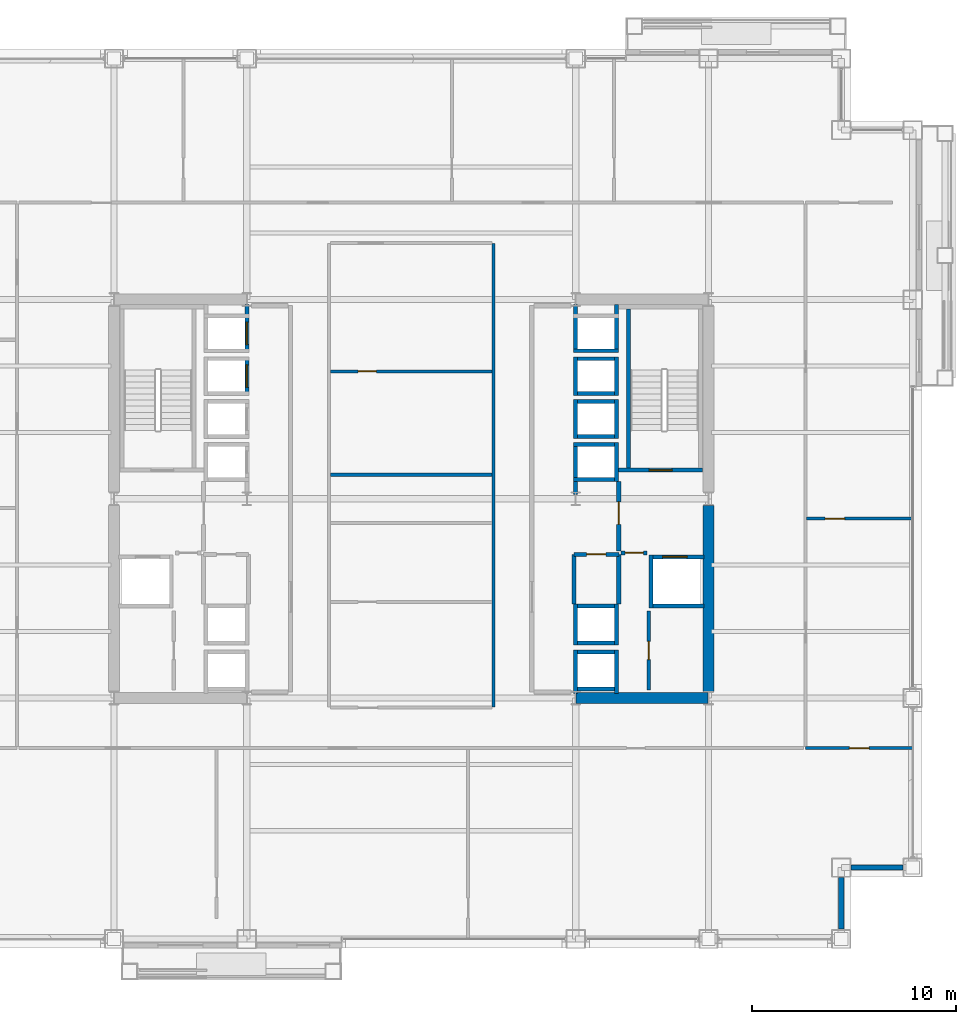
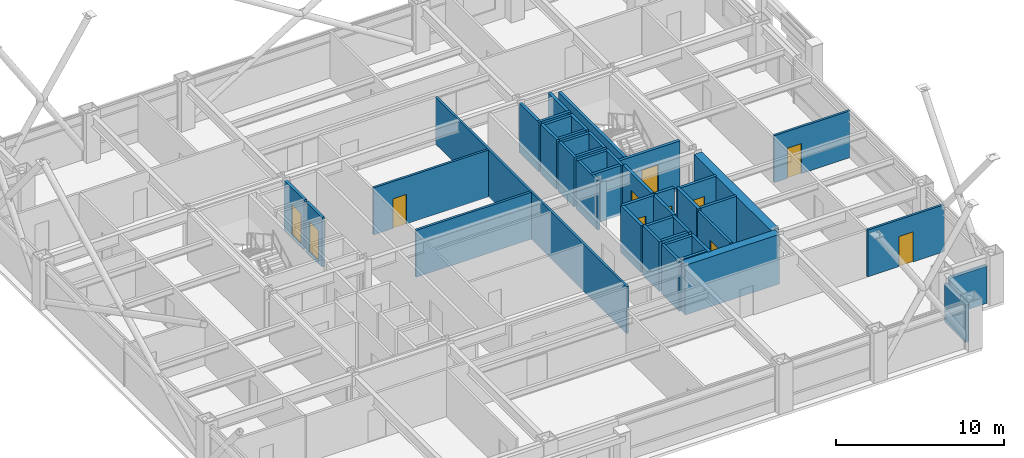
# One storey, part 29 of 34: 45 walls, 11 doors, 11 openings.
"""IFC4 building model written with IfcOpenShell, lengths in metres."""

from ifc_helpers import new_model, si_unit, direction, frame, frame_2d, origin, place, context, subcontext, project, spatial, rectangle, extrude, material, layer, layer_set, type_object, element, fill, save


model = new_model("IFC4")

# Units and contexts
model_context = context("Model", 3, precision=1e-05, world=origin(), true_north=direction((0.0, 1.0)))
body_context = subcontext(model_context, "Body", "Model", "MODEL_VIEW")
ifc_project = project(units=[si_unit("LENGTHUNIT", "METRE"), si_unit("AREAUNIT", "SQUARE_METRE"), si_unit("VOLUMEUNIT", "CUBIC_METRE"), si_unit("PLANEANGLEUNIT", "RADIAN"), si_unit("MASSUNIT", "GRAM", prefix="KILO")], contexts=[model_context])

# Site, building, storey
site_placement = place(None, origin())
site = spatial("IfcSite", under=ifc_project, at=site_placement, CompositionType="ELEMENT")
building_placement = place(site_placement, origin())
building = spatial("IfcBuilding", under=site, at=building_placement, Name="Brelmoor Portico Tower", CompositionType="ELEMENT")
storey_placement = place(building_placement, frame((0.0, 0.0, 45.60009765625)))
storey = spatial("IfcBuildingStorey", under=building, at=storey_placement, Name="L11", CompositionType="ELEMENT", Elevation=45.60009765625)

# Walls
ifc_material_1 = material(Name="Concrete C60", Category="concrete")
ifc_layer_1 = layer(ifc_material_1, 0.550048828125)
ifc_layer_set_1 = layer_set([ifc_layer_1], Name="Concrete C60")
wall_type_1 = type_object("IfcWallType", Name="WL-CORE-550", PredefinedType="SHEAR", material=ifc_layer_set_1)
wall_1_placement = place(storey_placement, frame((8.070068359375, -9.75, -0.2001953125), z_axis=(0.0, 0.0, 1.0), x_axis=(1.0, 0.0, 0.0)))
element("IfcWall", 1, at=wall_1_placement, inside=storey, type_object=wall_type_1, Name="L11 EC South Shear Wall", PredefinedType="SHEAR", context=body_context, shape_type="SweptSolid", body=[
    extrude(rectangle(XDim=6.4599609375, YDim=0.550048828125, at=frame_2d((3.22998046875, 0.0))), origin(), (0.0, 0.0, 1.0), 3.60009765625),
])
wall_2_placement = place(storey_placement, frame((14.550048828125, -9.425048828125, -0.2001953125), z_axis=(0.0, 0.0, 1.0), x_axis=(0.0, 1.0, 0.0)))
element("IfcWall", 2, at=wall_2_placement, inside=storey, type_object=wall_type_1, Name="L11 EC Outer South Shear Wall", PredefinedType="SHEAR", context=body_context, shape_type="SweptSolid", body=[
    extrude(rectangle(XDim=9.10009765625, YDim=0.550048828125, at=frame_2d((4.550048828125, 0.0))), origin(), (0.0, 0.0, 1.0), 3.60009765625),
])
ifc_material_2 = material(Name="Precast Concrete C40 Insulated Facade Wall", Category="concrete")
ifc_layer_2 = layer(ifc_material_2, 0.25)
ifc_layer_set_2 = layer_set([ifc_layer_2], Name="Precast Concrete C40 Insulated Facade Wall")
wall_type_2 = type_object("IfcWallType", Name="WL-EXT-250", PredefinedType="STANDARD", material=ifc_layer_set_2)
for number, where, z_axis, x_axis, name in (
    (3, (21.534912109375, -18.050048828125, 0.0), (0.0, 0.0, 1.0), (1.0, 0.0, 0.0), "L11 Corner Notch Facade Wall NSEH1"),
    (4, (21.050048828125, -21.06494140625, 0.0), (0.0, 0.0, 1.0), (0.0, 1.0, 0.0), "L11 Corner Notch Facade Wall NSEV1"),
):
    element("IfcWall", number, at=place(storey_placement, frame(where, z_axis=z_axis, x_axis=x_axis)), inside=storey, type_object=wall_type_2, Name=name, PredefinedType="STANDARD", context=body_context, shape_type="SweptSolid", body=[
        extrude(rectangle(XDim=2.530029296875, YDim=0.25, at=frame_2d((1.26513671875, 0.0))), origin(), (0.0, 0.0, 1.0), 2.699951171875),
    ])
ifc_material_3 = material(Name="Wet-Area Moisture-Resistant Partition", Category="gypsum")
ifc_layer_3 = layer(ifc_material_3, 0.14990234375)
ifc_layer_set_3 = layer_set([ifc_layer_3], Name="Wet-Area Moisture-Resistant Partition")
wall_type_3 = type_object("IfcWallType", Name="WL-PART-150", PredefinedType="PARTITIONING", material=ifc_layer_set_3)
wall_3_placement = place(storey_placement, frame((4.02001953125, -10.199951171875, 0.0), z_axis=(0.0, 0.0, 1.0), x_axis=(0.0, 1.0, 0.0)))
element("IfcWall", 5, at=wall_3_placement, inside=storey, type_object=wall_type_3, Name="L11 Central Suite East Wall", PredefinedType="PARTITIONING", context=body_context, shape_type="SweptSolid", body=[
    extrude(rectangle(XDim=22.699951171875, YDim=0.14990234375, at=frame_2d((11.35009765625, 0.0))), origin(), (0.0, 0.0, 1.0), 3.39990234375),
])

# Wall, opening, door
wall_4_placement = place(storey_placement, frame((-3.949951171875, 6.239990234375, 0.0), z_axis=(0.0, 0.0, 1.0), x_axis=(1.0, 0.0, 0.0)))
wall_4 = element("IfcWall", 6, at=wall_4_placement, inside=storey, type_object=wall_type_3, Name="L11 Central Archive Divider", PredefinedType="PARTITIONING", context=body_context, shape_type="SweptSolid", body=[
    extrude(rectangle(XDim=7.89990234375, YDim=0.14990234375, at=frame_2d((3.949951171875, 0.0))), origin(), (0.0, 0.0, 1.0), 3.39990234375),
])
opening_1_placement = place(wall_4_placement, frame((1.35009765625, 0.0, 0.0)))
opening_1 = element("IfcOpeningElement", 7, at=opening_1_placement, cuts=wall_4, Name="Opening D-IN1", PredefinedType="OPENING", context=body_context, shape_type="SweptSolid", body=[
    extrude(rectangle(XDim=0.89990234375, YDim=2.14990234375, at=frame_2d((0.449951171875, 1.074951171875))), frame((0.0, 0.0849609375, 0.0), z_axis=(0.0, -1.0, 0.0), x_axis=(1.0, 0.0, 0.0)), (0.0, 0.0, 1.0), 0.169921875),
])
ifc_material_4 = material(Name="Lacquered Timber Suite Door", Category="wood")
door_type_1 = type_object("IfcDoorType", Name="DR-INT-900", OperationType="NOTDEFINED", PredefinedType="DOOR", material=ifc_material_4)
door_1_placement = place(opening_1_placement, origin())
door_1 = element("IfcDoor", 8, at=door_1_placement, inside=storey, type_object=door_type_1, Name="D-0479 L11 Central File Room Door", OperationType="SINGLE_SWING_RIGHT", OverallHeight=2.14990234375, OverallWidth=0.89990234375, PredefinedType="DOOR", context=body_context, shape_type="SweptSolid", body=[
    extrude(rectangle(XDim=0.89990234375, YDim=2.14990234375, at=frame_2d((0.449951171875, 1.074951171875))), frame((0.0, 0.02490234375, 0.0), z_axis=(0.0, -1.0, 0.0), x_axis=(1.0, 0.0, 0.0)), (0.0, 0.0, 1.0), 0.050048828125),
])
fill(opening_1, door_1)

wall_5_placement = place(storey_placement, frame((19.300048828125, -12.199951171875, 0.0), z_axis=(0.0, 0.0, 1.0), x_axis=(1.0, 0.0, 0.0)))
wall_5 = element("IfcWall", 9, at=wall_5_placement, inside=storey, type_object=wall_type_3, Name="L11 South Outer Closure ER", PredefinedType="PARTITIONING", context=body_context, shape_type="SweptSolid", body=[
    extrude(rectangle(XDim=5.260009765625, YDim=0.14990234375, at=frame_2d((2.6298828125, 0.0))), origin(), (0.0, 0.0, 1.0), 3.39990234375),
])
opening_2_placement = place(wall_5_placement, frame((2.14990234375, 0.0, 0.0)))
opening_2 = element("IfcOpeningElement", 10, at=opening_2_placement, cuts=wall_5, Name="Opening D-IN2", PredefinedType="OPENING", context=body_context, shape_type="SweptSolid", body=[
    extrude(rectangle(XDim=0.9599609375, YDim=2.179931640625, at=frame_2d((0.47998046875, 1.08984375))), frame((0.0, 0.0849609375, 0.0), z_axis=(0.0, -1.0, 0.0), x_axis=(1.0, 0.0, 0.0)), (0.0, 0.0, 1.0), 0.169921875),
])
door_type_2 = type_object("IfcDoorType", Name="DR-INT-950", OperationType="NOTDEFINED", PredefinedType="DOOR", material=ifc_material_4)
door_2_placement = place(opening_2_placement, origin())
door_2 = element("IfcDoor", 11, at=door_2_placement, inside=storey, type_object=door_type_2, Name="D-0508 L11 ER South Corner Suite Door", OperationType="SINGLE_SWING_RIGHT", OverallHeight=2.179931640625, OverallWidth=0.9599609375, PredefinedType="DOOR", context=body_context, shape_type="SweptSolid", body=[
    extrude(rectangle(XDim=0.9599609375, YDim=2.179931640625, at=frame_2d((0.47998046875, 1.08984375))), frame((0.0, 0.02490234375, 0.0), z_axis=(0.0, -1.0, 0.0), x_axis=(1.0, 0.0, 0.0)), (0.0, 0.0, 1.0), 0.050048828125),
])
fill(opening_2, door_2)

wall_6_placement = place(storey_placement, frame((19.360107421875, -0.97314453125, 0.0), z_axis=(0.0, 0.0, 1.0), x_axis=(1.0, 0.0, 0.0)))
wall_6 = element("IfcWall", 12, at=wall_6_placement, inside=storey, type_object=wall_type_3, Name="L11 E Wing Partition 1", PredefinedType="PARTITIONING", context=body_context, shape_type="SweptSolid", body=[
    extrude(rectangle(XDim=5.199951171875, YDim=0.14990234375, at=frame_2d((2.60009765625, 0.0))), origin(), (0.0, 0.0, 1.0), 3.39990234375),
])
opening_3_placement = place(wall_6_placement, frame((0.89990234375, 0.0, 0.0)))
opening_3 = element("IfcOpeningElement", 13, at=opening_3_placement, cuts=wall_6, Name="Opening D-IN2", PredefinedType="OPENING", context=body_context, shape_type="SweptSolid", body=[
    extrude(rectangle(XDim=0.9599609375, YDim=2.179931640625, at=frame_2d((0.47998046875, 1.08984375))), frame((0.0, 0.0849609375, 0.0), z_axis=(0.0, -1.0, 0.0), x_axis=(1.0, 0.0, 0.0)), (0.0, 0.0, 1.0), 0.169921875),
])
door_3_placement = place(opening_3_placement, origin())
door_3 = element("IfcDoor", 14, at=door_3_placement, inside=storey, type_object=door_type_2, Name="D-0515 L11 E Wing Suite Connecting Door 1", OperationType="SINGLE_SWING_RIGHT", OverallHeight=2.179931640625, OverallWidth=0.9599609375, PredefinedType="DOOR", context=body_context, shape_type="SweptSolid", body=[
    extrude(rectangle(XDim=0.9599609375, YDim=2.179931640625, at=frame_2d((0.47998046875, 1.08984375))), frame((0.0, 0.02490234375, 0.0), z_axis=(0.0, -1.0, 0.0), x_axis=(1.0, 0.0, 0.0)), (0.0, 0.0, 1.0), 0.050048828125),
])
fill(opening_3, door_3)

ifc_material_5 = material(Name="Twin-Frame Acoustic Partition", Category="gypsum")
ifc_layer_4 = layer(ifc_material_5, 0.159912109375)
ifc_layer_set_4 = layer_set([ifc_layer_4], Name="Twin-Frame Acoustic Partition")
wall_type_4 = type_object("IfcWallType", Name="WL-PART-160", PredefinedType="PARTITIONING", material=ifc_layer_set_4)
wall_7_placement = place(storey_placement, frame((11.6201171875, -9.35009765625, 0.0), z_axis=(0.0, 0.0, 1.0), x_axis=(0.0, 1.0, 0.0)))
wall_7 = element("IfcWall", 15, at=wall_7_placement, inside=storey, type_object=wall_type_4, Name="L11 E Core Service Front Wall", PredefinedType="PARTITIONING", context=body_context, shape_type="SweptSolid", body=[
    extrude(rectangle(XDim=3.85009765625, YDim=0.159912109375, at=frame_2d((1.925048828125, 0.0))), origin(), (0.0, 0.0, 1.0), 3.39990234375),
])
opening_4_placement = place(wall_7_placement, frame((1.47509765625, 0.0, 0.0)))
opening_4 = element("IfcOpeningElement", 16, at=opening_4_placement, cuts=wall_7, Name="Opening D-IN1", PredefinedType="OPENING", context=body_context, shape_type="SweptSolid", body=[
    extrude(rectangle(XDim=0.89990234375, YDim=2.14990234375, at=frame_2d((0.449951171875, 1.074951171875))), frame((0.0, 0.08984375, 0.0), z_axis=(0.0, -1.0, 0.0), x_axis=(1.0, 0.0, 0.0)), (0.0, 0.0, 1.0), 0.179931640625),
])
door_4_placement = place(opening_4_placement, origin())
door_4 = element("IfcDoor", 17, at=door_4_placement, inside=storey, type_object=door_type_1, Name="D-0482 L11 E Male WC Door", OperationType="SINGLE_SWING_LEFT", OverallHeight=2.14990234375, OverallWidth=0.89990234375, PredefinedType="DOOR", context=body_context, shape_type="SweptSolid", body=[
    extrude(rectangle(XDim=0.89990234375, YDim=2.14990234375, at=frame_2d((0.449951171875, 1.074951171875))), frame((0.0, 0.02490234375, 0.0), z_axis=(0.0, -1.0, 0.0), x_axis=(1.0, 0.0, 0.0)), (0.0, 0.0, 1.0), 0.050048828125),
])
fill(opening_4, door_4)

# Wall
wall_8_placement = place(storey_placement, frame((-3.949951171875, 1.179931640625, 0.0), z_axis=(0.0, 0.0, 1.0), x_axis=(1.0, 0.0, 0.0)))
element("IfcWall", 18, at=wall_8_placement, inside=storey, type_object=wall_type_4, Name="L11 Central Meeting South Wall", PredefinedType="PARTITIONING", context=body_context, shape_type="SweptSolid", body=[
    extrude(rectangle(XDim=7.89990234375, YDim=0.159912109375, at=frame_2d((3.949951171875, 0.0))), origin(), (0.0, 0.0, 1.0), 3.39990234375),
])

# Wall, opening, door
ifc_material_6 = material(Name="Double-Stud Gypsum Fire Partition", Category="gypsum")
ifc_layer_5 = layer(ifc_material_6, 0.199951171875)
ifc_layer_set_5 = layer_set([ifc_layer_5], Name="Double-Stud Gypsum Fire Partition")
wall_type_5 = type_object("IfcWallType", Name="WL-PART-200", PredefinedType="PARTITIONING", material=ifc_layer_set_5)
wall_9_placement = place(storey_placement, frame((10.159912109375, -2.550048828125, 0.0), z_axis=(0.0, 0.0, 1.0), x_axis=(0.0, 1.0, 0.0)))
wall_9 = element("IfcWall", 19, at=wall_9_placement, inside=storey, type_object=wall_type_5, Name="L11 E Firefighting Lobby Wall", PredefinedType="PARTITIONING", context=body_context, shape_type="SweptSolid", body=[
    extrude(rectangle(XDim=3.400146484375, YDim=0.199951171875, at=frame_2d((1.7001953125, 0.0))), origin(), (0.0, 0.0, 1.0), 3.39990234375),
])
opening_5_placement = place(wall_9_placement, frame((1.300048828125, 0.0, 0.0)))
opening_5 = element("IfcOpeningElement", 20, at=opening_5_placement, cuts=wall_9, Name="Opening D-FR1", PredefinedType="OPENING", context=body_context, shape_type="SweptSolid", body=[
    extrude(rectangle(XDim=1.10009765625, YDim=2.14990234375, at=frame_2d((0.550048828125, 1.074951171875))), frame((0.0, 0.10986328125, 0.0), z_axis=(0.0, -1.0, 0.0), x_axis=(1.0, 0.0, 0.0)), (0.0, 0.0, 1.0), 0.219970703125),
])
ifc_material_7 = material(Name="Painted Galvanised Steel Fire Door", Category="steel")
door_type_3 = type_object("IfcDoorType", Name="DR-FIRE-1100", OperationType="NOTDEFINED", PredefinedType="DOOR", material=ifc_material_7)
door_5_placement = place(opening_5_placement, origin())
door_5 = element("IfcDoor", 21, at=door_5_placement, inside=storey, type_object=door_type_3, Name="D-0488 L11 E Firefighting Lobby Door", OperationType="SINGLE_SWING_RIGHT", OverallHeight=2.14990234375, OverallWidth=1.10009765625, PredefinedType="DOOR", context=body_context, shape_type="SweptSolid", body=[
    extrude(rectangle(XDim=1.10009765625, YDim=2.14990234375, at=frame_2d((0.550048828125, 1.074951171875))), frame((0.0, 0.02490234375, 0.0), z_axis=(0.0, -1.0, 0.0), x_axis=(1.0, 0.0, 0.0)), (0.0, 0.0, 1.0), 0.050048828125),
])
fill(opening_5, door_5)

wall_10_placement = place(storey_placement, frame((10.280029296875, -2.64990234375, 0.0), z_axis=(0.0, 0.0, 1.0), x_axis=(1.0, 0.0, 0.0)))
wall_10 = element("IfcWall", 22, at=wall_10_placement, inside=storey, type_object=wall_type_5, Name="L11 E Firefighting Lobby South Wall", PredefinedType="PARTITIONING", context=body_context, shape_type="SweptSolid", body=[
    extrude(rectangle(XDim=1.27001953125, YDim=0.199951171875, at=frame_2d((0.635009765625, 0.0))), origin(), (0.0, 0.0, 1.0), 3.39990234375),
])
opening_6_placement = place(wall_10_placement, frame((0.18505859375, 0.0, 0.0)))
opening_6 = element("IfcOpeningElement", 23, at=opening_6_placement, cuts=wall_10, Name="Opening D-IN1", PredefinedType="OPENING", context=body_context, shape_type="SweptSolid", body=[
    extrude(rectangle(XDim=0.89990234375, YDim=2.14990234375, at=frame_2d((0.449951171875, 1.074951171875))), frame((0.0, 0.10986328125, 0.0), z_axis=(0.0, -1.0, 0.0), x_axis=(1.0, 0.0, 0.0)), (0.0, 0.0, 1.0), 0.219970703125),
])
door_6_placement = place(opening_6_placement, origin())
door_6 = element("IfcDoor", 24, at=door_6_placement, inside=storey, type_object=door_type_1, Name="D-0483 L11 E Core Service Vestibule Door", OperationType="SINGLE_SWING_LEFT", OverallHeight=2.14990234375, OverallWidth=0.89990234375, PredefinedType="DOOR", context=body_context, shape_type="SweptSolid", body=[
    extrude(rectangle(XDim=0.89990234375, YDim=2.14990234375, at=frame_2d((0.449951171875, 1.074951171875))), frame((0.0, 0.02490234375, 0.0), z_axis=(0.0, -1.0, 0.0), x_axis=(1.0, 0.0, 0.0)), (0.0, 0.0, 1.0), 0.050048828125),
])
fill(opening_6, door_6)

wall_11_placement = place(storey_placement, frame((7.9599609375, -2.719970703125, 0.0), z_axis=(0.0, 0.0, 1.0), x_axis=(1.0, 0.0, 0.0)))
wall_11 = element("IfcWall", 25, at=wall_11_placement, inside=storey, type_object=wall_type_5, Name="L11 E Electrical Switchgear Closet Wall", PredefinedType="PARTITIONING", context=body_context, shape_type="SweptSolid", body=[
    extrude(rectangle(XDim=2.199951171875, YDim=0.199951171875, at=frame_2d((1.10009765625, 0.0))), origin(), (0.0, 0.0, 1.0), 3.39990234375),
])
opening_7_placement = place(wall_11_placement, frame((0.6201171875, 0.0, 0.0)))
opening_7 = element("IfcOpeningElement", 26, at=opening_7_placement, cuts=wall_11, Name="Opening D-FR4", PredefinedType="OPENING", context=body_context, shape_type="SweptSolid", body=[
    extrude(rectangle(XDim=0.949951171875, YDim=2.10009765625, at=frame_2d((0.47509765625, 1.050048828125))), frame((0.0, 0.10986328125, 0.0), z_axis=(0.0, -1.0, 0.0), x_axis=(1.0, 0.0, 0.0)), (0.0, 0.0, 1.0), 0.219970703125),
])
ifc_material_8 = material(Name="Painted Galvanised Steel Riser Door", Category="steel")
door_type_4 = type_object("IfcDoorType", Name="DR-FIRE-950", OperationType="NOTDEFINED", PredefinedType="DOOR", material=ifc_material_8)
door_7_placement = place(opening_7_placement, origin())
door_7 = element("IfcDoor", 27, at=door_7_placement, inside=storey, type_object=door_type_4, Name="D-0486 L11 E Electrical Switchgear Closet Door", OperationType="SINGLE_SWING_RIGHT", OverallHeight=2.10009765625, OverallWidth=0.949951171875, PredefinedType="DOOR", context=body_context, shape_type="SweptSolid", body=[
    extrude(rectangle(XDim=0.949951171875, YDim=2.10009765625, at=frame_2d((0.47509765625, 1.050048828125))), frame((0.0, 0.02490234375, 0.0), z_axis=(0.0, -1.0, 0.0), x_axis=(1.0, 0.0, 0.0)), (0.0, 0.0, 1.0), 0.050048828125),
])
fill(opening_7, door_7)

# Walls
for number, where, z_axis, x_axis, name in (
    (28, (7.9599609375, -5.159912109375, 0.0), (0.0, 0.0, 1.0), (0.0, 1.0, 0.0), "L11 E Electrical Switchgear Closet Inner Wall"),
    (29, (10.159912109375, -5.159912109375, 0.0), (0.0, 0.0, 1.0), (0.0, 1.0, 0.0), "L11 E Electrical Switchgear Closet Outer Wall"),
):
    element("IfcWall", number, at=place(storey_placement, frame(where, z_axis=z_axis, x_axis=x_axis)), inside=storey, type_object=wall_type_5, Name=name, PredefinedType="PARTITIONING", context=body_context, shape_type="SweptSolid", body=[
        extrude(rectangle(XDim=2.43994140625, YDim=0.199951171875, at=frame_2d((1.219970703125, 0.0))), origin(), (0.0, 0.0, 1.0), 3.39990234375),
    ])

# Wall, opening, door
ifc_material_9 = material(Name="Precast Concrete C40", Category="concrete")
ifc_layer_6 = layer(ifc_material_9, 0.18994140625)
ifc_layer_set_6 = layer_set([ifc_layer_6], Name="Precast Concrete C40")
wall_type_6 = type_object("IfcWallType", Name="WL-SHAFT-180", PredefinedType="SOLIDWALL", material=ifc_layer_set_6)
wall_12_placement = place(storey_placement, frame((-8.044921875, 5.050048828125, -0.2001953125), z_axis=(0.0, 0.0, 1.0), x_axis=(0.0, 1.0, 0.0)))
wall_12 = element("IfcWall", 30, at=wall_12_placement, inside=storey, type_object=wall_type_6, Name="L11 Lift PL3 Hoistway Front Wall", PredefinedType="SOLIDWALL", context=body_context, shape_type="SweptSolid", body=[
    extrude(rectangle(XDim=1.89990234375, YDim=0.18994140625, at=frame_2d((0.949951171875, 0.0))), origin(), (0.0, 0.0, 1.0), 3.60009765625),
])
opening_8_placement = place(wall_12_placement, frame((0.39990234375, 0.0, 0.199951171875)))
opening_8 = element("IfcOpeningElement", 31, at=opening_8_placement, cuts=wall_12, Name="Opening LD-01", PredefinedType="OPENING", context=body_context, shape_type="SweptSolid", body=[
    extrude(rectangle(XDim=1.10009765625, YDim=2.199951171875, at=frame_2d((0.550048828125, 1.10009765625))), frame((0.0, 0.10498046875, 0.0), z_axis=(0.0, -1.0, 0.0), x_axis=(1.0, 0.0, 0.0)), (0.0, 0.0, 1.0), 0.2099609375),
])
ifc_material_10 = material(Name="Brushed Stainless Steel Sliding Lift Door", Category="steel")
door_type_5 = type_object("IfcDoorType", Name="DR-LIFT-1100", OperationType="NOTDEFINED", PredefinedType="DOOR", material=ifc_material_10)
door_8_placement = place(opening_8_placement, origin())
door_8 = element("IfcDoor", 32, at=door_8_placement, inside=storey, type_object=door_type_5, Name="D-0525 L11 Lift PL3 Sliding Landing Door", OperationType="SLIDING_TO_LEFT", OverallHeight=2.199951171875, OverallWidth=1.10009765625, PredefinedType="DOOR", context=body_context, shape_type="SweptSolid", body=[
    extrude(rectangle(XDim=1.10009765625, YDim=2.199951171875, at=frame_2d((0.550048828125, 1.10009765625))), frame((0.0, 0.02490234375, 0.0), z_axis=(0.0, -1.0, 0.0), x_axis=(1.0, 0.0, 0.0)), (0.0, 0.0, 1.0), 0.050048828125),
])
fill(opening_8, door_8)

wall_13_placement = place(storey_placement, frame((-8.044921875, 7.14990234375, -0.2001953125), z_axis=(0.0, 0.0, 1.0), x_axis=(0.0, 1.0, 0.0)))
wall_13 = element("IfcWall", 33, at=wall_13_placement, inside=storey, type_object=wall_type_6, Name="L11 Lift PL4 Hoistway Front Wall", PredefinedType="SOLIDWALL", context=body_context, shape_type="SweptSolid", body=[
    extrude(rectangle(XDim=2.3701171875, YDim=0.18994140625, at=frame_2d((1.18505859375, 0.0))), origin(), (0.0, 0.0, 1.0), 3.60009765625),
])
opening_9_placement = place(wall_13_placement, frame((0.39990234375, 0.0, 0.199951171875)))
opening_9 = element("IfcOpeningElement", 34, at=opening_9_placement, cuts=wall_13, Name="Opening LD-01", PredefinedType="OPENING", context=body_context, shape_type="SweptSolid", body=[
    extrude(rectangle(XDim=1.10009765625, YDim=2.199951171875, at=frame_2d((0.550048828125, 1.10009765625))), frame((0.0, 0.10498046875, 0.0), z_axis=(0.0, -1.0, 0.0), x_axis=(1.0, 0.0, 0.0)), (0.0, 0.0, 1.0), 0.2099609375),
])
door_9_placement = place(opening_9_placement, origin())
door_9 = element("IfcDoor", 35, at=door_9_placement, inside=storey, type_object=door_type_5, Name="D-0526 L11 Lift PL4 Sliding Landing Door", OperationType="SLIDING_TO_LEFT", OverallHeight=2.199951171875, OverallWidth=1.10009765625, PredefinedType="DOOR", context=body_context, shape_type="SweptSolid", body=[
    extrude(rectangle(XDim=1.10009765625, YDim=2.199951171875, at=frame_2d((0.550048828125, 1.10009765625))), frame((0.0, 0.02490234375, 0.0), z_axis=(0.0, -1.0, 0.0), x_axis=(1.0, 0.0, 0.0)), (0.0, 0.0, 1.0), 0.050048828125),
])
fill(opening_9, door_9)

# Walls
wall_14_placement = place(storey_placement, frame((8.044921875, 0.2099609375, -0.2001953125), z_axis=(0.0, 0.0, 1.0), x_axis=(0.0, 1.0, 0.0)))
element("IfcWall", 36, at=wall_14_placement, inside=storey, type_object=wall_type_6, Name="L11 Lift PM1 Hoistway Front Wall", PredefinedType="SOLIDWALL", context=body_context, shape_type="SweptSolid", body=[
    extrude(rectangle(XDim=2.5400390625, YDim=0.18994140625, at=frame_2d((1.27001953125, 0.0))), origin(), (0.0, 0.0, 1.0), 3.60009765625),
])
wall_15_placement = place(storey_placement, frame((10.054931640625, 0.85009765625, -0.2001953125), z_axis=(0.0, 0.0, 1.0), x_axis=(0.0, 1.0, 0.0)))
element("IfcWall", 37, at=wall_15_placement, inside=storey, type_object=wall_type_6, Name="L11 Lift PM1 Hoistway Back Wall", PredefinedType="SOLIDWALL", context=body_context, shape_type="SweptSolid", body=[
    extrude(rectangle(XDim=1.89990234375, YDim=0.18994140625, at=frame_2d((0.949951171875, 0.0))), origin(), (0.0, 0.0, 1.0), 3.60009765625),
])
for number, where, z_axis, x_axis, name in (
    (38, (7.949951171875, 2.655029296875, -0.2001953125), (0.0, 0.0, 1.0), (1.0, 0.0, 0.0), "L11 Lift PM1 Hoistway North Wall"),
    (39, (7.949951171875, 0.945068359375, -0.2001953125), (0.0, 0.0, 1.0), (1.0, 0.0, 0.0), "L11 Lift PM1 Hoistway South Wall"),
):
    element("IfcWall", number, at=place(storey_placement, frame(where, z_axis=z_axis, x_axis=x_axis)), inside=storey, type_object=wall_type_6, Name=name, PredefinedType="SOLIDWALL", context=body_context, shape_type="SweptSolid", body=[
        extrude(rectangle(XDim=2.199951171875, YDim=0.18994140625, at=frame_2d((1.10009765625, 0.0))), origin(), (0.0, 0.0, 1.0), 3.60009765625),
    ])
for number, where, z_axis, x_axis, name in (
    (40, (8.044921875, 2.949951171875, -0.2001953125), (0.0, 0.0, 1.0), (0.0, 1.0, 0.0), "L11 Lift PM2 Hoistway Front Wall"),
    (41, (10.054931640625, 2.949951171875, -0.2001953125), (0.0, 0.0, 1.0), (0.0, 1.0, 0.0), "L11 Lift PM2 Hoistway Back Wall"),
):
    element("IfcWall", number, at=place(storey_placement, frame(where, z_axis=z_axis, x_axis=x_axis)), inside=storey, type_object=wall_type_6, Name=name, PredefinedType="SOLIDWALL", context=body_context, shape_type="SweptSolid", body=[
        extrude(rectangle(XDim=1.900146484375, YDim=0.18994140625, at=frame_2d((0.9501953125, 0.0))), origin(), (0.0, 0.0, 1.0), 3.60009765625),
    ])
for number, where, z_axis, x_axis, name in (
    (42, (7.949951171875, 4.7548828125, -0.2001953125), (0.0, 0.0, 1.0), (1.0, 0.0, 0.0), "L11 Lift PM2 Hoistway North Wall"),
    (43, (7.949951171875, 3.044921875, -0.2001953125), (0.0, 0.0, 1.0), (1.0, 0.0, 0.0), "L11 Lift PM2 Hoistway South Wall"),
):
    element("IfcWall", number, at=place(storey_placement, frame(where, z_axis=z_axis, x_axis=x_axis)), inside=storey, type_object=wall_type_6, Name=name, PredefinedType="SOLIDWALL", context=body_context, shape_type="SweptSolid", body=[
        extrude(rectangle(XDim=2.199951171875, YDim=0.18994140625, at=frame_2d((1.10009765625, 0.0))), origin(), (0.0, 0.0, 1.0), 3.60009765625),
    ])
for number, where, z_axis, x_axis, name in (
    (44, (8.044921875, 5.050048828125, -0.2001953125), (0.0, 0.0, 1.0), (0.0, 1.0, 0.0), "L11 Lift PM3 Hoistway Front Wall"),
    (45, (10.054931640625, 5.050048828125, -0.2001953125), (0.0, 0.0, 1.0), (0.0, 1.0, 0.0), "L11 Lift PM3 Hoistway Back Wall"),
):
    element("IfcWall", number, at=place(storey_placement, frame(where, z_axis=z_axis, x_axis=x_axis)), inside=storey, type_object=wall_type_6, Name=name, PredefinedType="SOLIDWALL", context=body_context, shape_type="SweptSolid", body=[
        extrude(rectangle(XDim=1.89990234375, YDim=0.18994140625, at=frame_2d((0.949951171875, 0.0))), origin(), (0.0, 0.0, 1.0), 3.60009765625),
    ])
for number, where, z_axis, x_axis, name in (
    (46, (7.949951171875, 6.85498046875, -0.2001953125), (0.0, 0.0, 1.0), (1.0, 0.0, 0.0), "L11 Lift PM3 Hoistway North Wall"),
    (47, (7.949951171875, 5.14501953125, -0.2001953125), (0.0, 0.0, 1.0), (1.0, 0.0, 0.0), "L11 Lift PM3 Hoistway South Wall"),
):
    element("IfcWall", number, at=place(storey_placement, frame(where, z_axis=z_axis, x_axis=x_axis)), inside=storey, type_object=wall_type_6, Name=name, PredefinedType="SOLIDWALL", context=body_context, shape_type="SweptSolid", body=[
        extrude(rectangle(XDim=2.199951171875, YDim=0.18994140625, at=frame_2d((1.10009765625, 0.0))), origin(), (0.0, 0.0, 1.0), 3.60009765625),
    ])
for number, where, z_axis, x_axis, name in (
    (48, (8.044921875, 7.14990234375, -0.2001953125), (0.0, 0.0, 1.0), (0.0, 1.0, 0.0), "L11 Lift PM4 Hoistway Front Wall"),
    (49, (10.054931640625, 7.14990234375, -0.2001953125), (0.0, 0.0, 1.0), (0.0, 1.0, 0.0), "L11 Lift PM4 Hoistway Back Wall"),
):
    element("IfcWall", number, at=place(storey_placement, frame(where, z_axis=z_axis, x_axis=x_axis)), inside=storey, type_object=wall_type_6, Name=name, PredefinedType="SOLIDWALL", context=body_context, shape_type="SweptSolid", body=[
        extrude(rectangle(XDim=2.3701171875, YDim=0.18994140625, at=frame_2d((1.18505859375, 0.0))), origin(), (0.0, 0.0, 1.0), 3.60009765625),
    ])
wall_16_placement = place(storey_placement, frame((7.949951171875, 7.2451171875, -0.2001953125), z_axis=(0.0, 0.0, 1.0), x_axis=(1.0, 0.0, 0.0)))
element("IfcWall", 50, at=wall_16_placement, inside=storey, type_object=wall_type_6, Name="L11 Lift PM4 Hoistway South Wall", PredefinedType="SOLIDWALL", context=body_context, shape_type="SweptSolid", body=[
    extrude(rectangle(XDim=2.199951171875, YDim=0.18994140625, at=frame_2d((1.10009765625, 0.0))), origin(), (0.0, 0.0, 1.0), 3.60009765625),
])
for number, where, z_axis, x_axis, name in (
    (51, (8.044921875, -9.52001953125, -0.2001953125), (0.0, 0.0, 1.0), (0.0, 1.0, 0.0), "L11 Lift PH3 Hoistway Front Wall"),
    (52, (10.054931640625, -9.52001953125, -0.2001953125), (0.0, 0.0, 1.0), (0.0, 1.0, 0.0), "L11 Lift PH3 Hoistway Back Wall"),
):
    element("IfcWall", number, at=place(storey_placement, frame(where, z_axis=z_axis, x_axis=x_axis)), inside=storey, type_object=wall_type_6, Name=name, PredefinedType="SOLIDWALL", context=body_context, shape_type="SweptSolid", body=[
        extrude(rectangle(XDim=2.1201171875, YDim=0.18994140625, at=frame_2d((1.06005859375, 0.0))), origin(), (0.0, 0.0, 1.0), 3.60009765625),
    ])
for number, where, z_axis, x_axis, name in (
    (53, (7.949951171875, -7.4951171875, -0.2001953125), (0.0, 0.0, 1.0), (1.0, 0.0, 0.0), "L11 Lift PH3 Hoistway North Wall"),
    (54, (7.949951171875, -9.304931640625, -0.2001953125), (0.0, 0.0, 1.0), (1.0, 0.0, 0.0), "L11 Lift PH3 Hoistway South Wall"),
):
    element("IfcWall", number, at=place(storey_placement, frame(where, z_axis=z_axis, x_axis=x_axis)), inside=storey, type_object=wall_type_6, Name=name, PredefinedType="SOLIDWALL", context=body_context, shape_type="SweptSolid", body=[
        extrude(rectangle(XDim=2.199951171875, YDim=0.18994140625, at=frame_2d((1.10009765625, 0.0))), origin(), (0.0, 0.0, 1.0), 3.60009765625),
    ])
for number, where, z_axis, x_axis, name in (
    (55, (8.044921875, -7.14990234375, -0.2001953125), (0.0, 0.0, 1.0), (0.0, 1.0, 0.0), "L11 Lift PH4 Hoistway Front Wall"),
    (56, (10.054931640625, -7.14990234375, -0.2001953125), (0.0, 0.0, 1.0), (0.0, 1.0, 0.0), "L11 Lift PH4 Hoistway Back Wall"),
):
    element("IfcWall", number, at=place(storey_placement, frame(where, z_axis=z_axis, x_axis=x_axis)), inside=storey, type_object=wall_type_6, Name=name, PredefinedType="SOLIDWALL", context=body_context, shape_type="SweptSolid", body=[
        extrude(rectangle(XDim=2.0, YDim=0.18994140625, at=frame_2d((1.0, 0.0))), origin(), (0.0, 0.0, 1.0), 3.60009765625),
    ])
for number, where, z_axis, x_axis, name in (
    (57, (7.949951171875, -5.2451171875, -0.2001953125), (0.0, 0.0, 1.0), (1.0, 0.0, 0.0), "L11 Lift PH4 Hoistway North Wall"),
    (58, (7.949951171875, -7.054931640625, -0.2001953125), (0.0, 0.0, 1.0), (1.0, 0.0, 0.0), "L11 Lift PH4 Hoistway South Wall"),
):
    element("IfcWall", number, at=place(storey_placement, frame(where, z_axis=z_axis, x_axis=x_axis)), inside=storey, type_object=wall_type_6, Name=name, PredefinedType="SOLIDWALL", context=body_context, shape_type="SweptSolid", body=[
        extrude(rectangle(XDim=2.199951171875, YDim=0.18994140625, at=frame_2d((1.10009765625, 0.0))), origin(), (0.0, 0.0, 1.0), 3.60009765625),
    ])

# Wall, opening, door
wall_17_placement = place(storey_placement, frame((11.64990234375, -2.844970703125, -0.2001953125), z_axis=(0.0, 0.0, 1.0), x_axis=(1.0, 0.0, 0.0)))
wall_17 = element("IfcWall", 59, at=wall_17_placement, inside=storey, type_object=wall_type_6, Name="L11 Lift FF2 Hoistway Front Wall", PredefinedType="SOLIDWALL", context=body_context, shape_type="SweptSolid", body=[
    extrude(rectangle(XDim=2.68017578125, YDim=0.18994140625, at=frame_2d((1.340087890625, 0.0))), origin(), (0.0, 0.0, 1.0), 3.60009765625),
])
opening_10_placement = place(wall_17_placement, frame((0.64990234375, 0.0, 0.199951171875)))
opening_10 = element("IfcOpeningElement", 60, at=opening_10_placement, cuts=wall_17, Name="Opening LD-02", PredefinedType="OPENING", context=body_context, shape_type="SweptSolid", body=[
    extrude(rectangle(XDim=1.199951171875, YDim=2.199951171875, at=frame_2d((0.60009765625, 1.10009765625))), frame((0.0, 0.10498046875, 0.0), z_axis=(0.0, -1.0, 0.0), x_axis=(1.0, 0.0, 0.0)), (0.0, 0.0, 1.0), 0.2099609375),
])
ifc_material_11 = material(Name="Brushed Stainless Steel Firefighting Lift Door", Category="steel")
door_type_6 = type_object("IfcDoorType", Name="DR-LIFT-1200", OperationType="NOTDEFINED", PredefinedType="DOOR", material=ifc_material_11)
door_10_placement = place(opening_10_placement, origin())
door_10 = element("IfcDoor", 61, at=door_10_placement, inside=storey, type_object=door_type_6, Name="D-0522 L11 Lift FF2 Sliding Landing Door", OperationType="SLIDING_TO_LEFT", OverallHeight=2.199951171875, OverallWidth=1.199951171875, PredefinedType="DOOR", context=body_context, shape_type="SweptSolid", body=[
    extrude(rectangle(XDim=1.199951171875, YDim=2.199951171875, at=frame_2d((0.60009765625, 1.10009765625))), frame((0.0, 0.02490234375, 0.0), z_axis=(0.0, -1.0, 0.0), x_axis=(1.0, 0.0, 0.0)), (0.0, 0.0, 1.0), 0.050048828125),
])
fill(opening_10, door_10)

# Walls
wall_18_placement = place(storey_placement, frame((11.64990234375, -5.2548828125, -0.2001953125), z_axis=(0.0, 0.0, 1.0), x_axis=(1.0, 0.0, 0.0)))
element("IfcWall", 62, at=wall_18_placement, inside=storey, type_object=wall_type_6, Name="L11 Firefighting Lift FF2 South Wall", PredefinedType="SOLIDWALL", context=body_context, shape_type="SweptSolid", body=[
    extrude(rectangle(XDim=2.68017578125, YDim=0.18994140625, at=frame_2d((1.340087890625, 0.0))), origin(), (0.0, 0.0, 1.0), 3.60009765625),
])
wall_19_placement = place(storey_placement, frame((11.7451171875, -5.35009765625, -0.2001953125), z_axis=(0.0, 0.0, 1.0), x_axis=(0.0, 1.0, 0.0)))
element("IfcWall", 63, at=wall_19_placement, inside=storey, type_object=wall_type_6, Name="L11 Firefighting Lift FF2 Inner Wall", PredefinedType="SOLIDWALL", context=body_context, shape_type="SweptSolid", body=[
    extrude(rectangle(XDim=2.60009765625, YDim=0.18994140625, at=frame_2d((1.300048828125, 0.0))), origin(), (0.0, 0.0, 1.0), 3.60009765625),
])

# Wall, opening, door
ifc_material_12 = material(Name="Concrete C40", Category="concrete")
ifc_layer_7 = layer(ifc_material_12, 0.199951171875)
ifc_layer_set_7 = layer_set([ifc_layer_7], Name="Concrete C40")
wall_type_7 = type_object("IfcWallType", Name="WL-SHAFT-RC200", PredefinedType="SOLIDWALL", material=ifc_layer_set_7)
wall_20_placement = place(storey_placement, frame((10.14990234375, 1.39990234375, -0.2001953125), z_axis=(0.0, 0.0, 1.0), x_axis=(1.0, 0.0, 0.0)))
wall_20 = element("IfcWall", 64, at=wall_20_placement, inside=storey, type_object=wall_type_7, Name="L11 ST-E Structural Stair Wall S", PredefinedType="SOLIDWALL", context=body_context, shape_type="SweptSolid", body=[
    extrude(rectangle(XDim=4.10009765625, YDim=0.199951171875, at=frame_2d((2.050048828125, 0.0))), origin(), (0.0, 0.0, 1.0), 3.60009765625),
])
opening_11_placement = place(wall_20_placement, frame((1.5, 0.0, 0.199951171875)))
opening_11 = element("IfcOpeningElement", 65, at=opening_11_placement, cuts=wall_20, Name="Opening D-ST1", PredefinedType="OPENING", context=body_context, shape_type="SweptSolid", body=[
    extrude(rectangle(XDim=1.1201171875, YDim=2.179931640625, at=frame_2d((0.56005859375, 1.08984375))), frame((0.0, 0.10986328125, 0.0), z_axis=(0.0, -1.0, 0.0), x_axis=(1.0, 0.0, 0.0)), (0.0, 0.0, 1.0), 0.219970703125),
])
door_type_7 = type_object("IfcDoorType", Name="DR-STAIR-1100", OperationType="NOTDEFINED", PredefinedType="DOOR", material=ifc_material_7)
door_11_placement = place(opening_11_placement, origin())
door_11 = element("IfcDoor", 66, at=door_11_placement, inside=storey, type_object=door_type_7, Name="D-0506 L11 ST-E Protected Exit Stair Door", OperationType="SINGLE_SWING_RIGHT", OverallHeight=2.179931640625, OverallWidth=1.1201171875, PredefinedType="DOOR", context=body_context, shape_type="SweptSolid", body=[
    extrude(rectangle(XDim=1.1201171875, YDim=2.179931640625, at=frame_2d((0.56005859375, 1.08984375))), frame((0.0, 0.02490234375, 0.0), z_axis=(0.0, -1.0, 0.0), x_axis=(1.0, 0.0, 0.0)), (0.0, 0.0, 1.0), 0.050048828125),
])
fill(opening_11, door_11)

# Wall
wall_21_placement = place(storey_placement, frame((10.6298828125, 1.5, -0.2001953125), z_axis=(0.0, 0.0, 1.0), x_axis=(0.0, 1.0, 0.0)))
element("IfcWall", 67, at=wall_21_placement, inside=storey, type_object=wall_type_7, Name="L11 ST-E Structural Stair Wall Inner", PredefinedType="SOLIDWALL", context=body_context, shape_type="SweptSolid", body=[
    extrude(rectangle(XDim=7.800048828125, YDim=0.199951171875, at=frame_2d((3.89990234375, 0.0))), origin(), (0.0, 0.0, 1.0), 3.60009765625),
])

save(model, "model.ifc")
